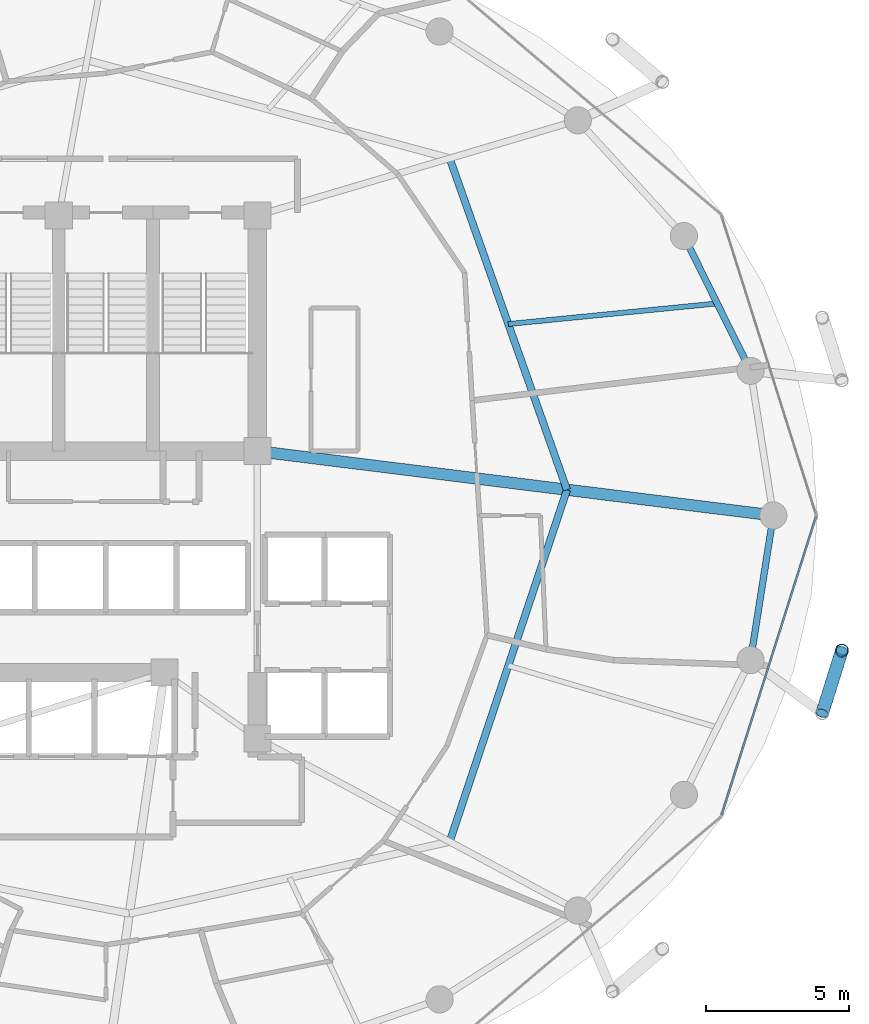
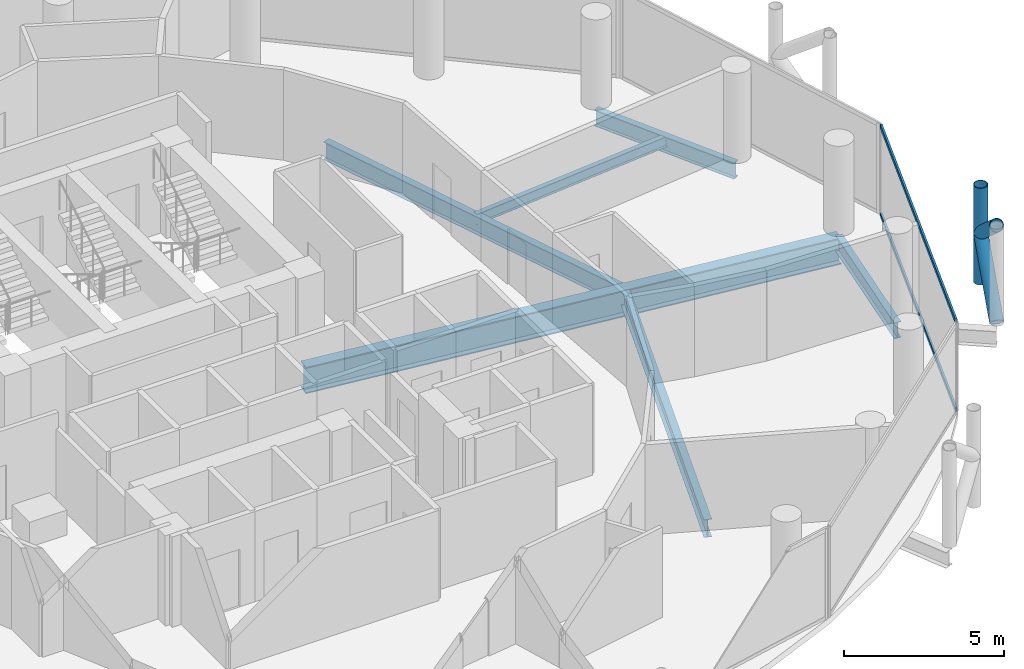
# One storey, part 11 of 26: 6 beams, 5 members, 1 element without a shape of its own.
"""IFC4 building model written with IfcOpenShell, lengths in metres."""

import ifcopenshell
import ifcopenshell.guid

model = None  # the IFC model being written
_history = None  # IfcOwnerHistory: only IFC2X3 demands one
_inside = {}  # id of a spatial element -> (the spatial element, [elements in it])
_under = {}  # id of a project, library or spatial element -> (it, [spatial elements below it])
_declared = {}  # id of a project -> (the project, [libraries it declares])
_typed = {}  # id of a type object -> (the type object, [elements of that type])
_made_of = {}  # id of a material, layer set ... -> (it, [elements and type objects made of it])


def new_model(schema):
    """Start an empty IFC model of exactly this schema.

    Asked for "IFC4X3", IfcOpenShell would pick the latest addendum, in which some entities
    have other attributes; the version numbers below select the first issue.
    IFC2X3 requires an IfcOwnerHistory on every rooted entity: one is made here for all.
    """
    global model, _history
    if schema == "IFC4X3":
        model = ifcopenshell.file(schema_version=(4, 3, 0, 0))
    else:
        model = ifcopenshell.file(schema=schema)
    _inside.clear()
    _under.clear()
    _declared.clear()
    _typed.clear()
    _made_of.clear()
    _history = None
    if model.schema == "IFC2X3":
        org = make("IfcOrganization", Name="unknown")
        user = make(
            "IfcPersonAndOrganization",
            ThePerson=make("IfcPerson", FamilyName="unknown"),
            TheOrganization=org,
        )
        app = make(
            "IfcApplication",
            ApplicationDeveloper=org,
            Version="unknown",
            ApplicationFullName="unknown",
            ApplicationIdentifier="unknown",
        )
        _history = make(
            "IfcOwnerHistory",
            OwningUser=user,
            OwningApplication=app,
            ChangeAction="ADDED",
            CreationDate=0,
        )
    return model


def make(cls, **values):
    """One entity of the class cls with the attributes given. An attribute that is None is left unset."""
    return model.create_entity(
        cls, **{name: value for name, value in values.items() if value is not None}
    )


def rooted(cls, **values):
    """An entity with a GlobalId (a new one), such as an element, a storey or a relation."""
    return make(cls, GlobalId=ifcopenshell.guid.new(), OwnerHistory=_history, **values)


def si_unit(unit_type, name, prefix=None):
    """IfcSIUnit, for example si_unit("LENGTHUNIT", "METRE", prefix="MILLI")."""
    return make("IfcSIUnit", UnitType=unit_type, Prefix=prefix, Name=name)


def assignment(units):
    """IfcUnitAssignment: the units of a project."""
    return None if units is None else make("IfcUnitAssignment", Units=units)


def point(xyz):
    """IfcCartesianPoint."""
    return None if xyz is None else make("IfcCartesianPoint", Coordinates=xyz)


def direction(xyz):
    """IfcDirection."""
    return None if xyz is None else make("IfcDirection", DirectionRatios=xyz)


def frame(location, z_axis=None, x_axis=None):
    """IfcAxis2Placement3D, a coordinate frame: its origin and axes. An axis left out is left unset."""
    return make(
        "IfcAxis2Placement3D",
        Location=point(location),
        Axis=direction(z_axis),
        RefDirection=direction(x_axis),
    )


def frame_2d(location, x_axis=None):
    """IfcAxis2Placement2D, a coordinate frame in the plane: its origin and x axis."""
    return make(
        "IfcAxis2Placement2D", Location=point(location), RefDirection=direction(x_axis)
    )


def origin():
    """The frame at (0, 0, 0) with its axes left unset."""
    return frame((0.0, 0.0, 0.0))


def origin_2d():
    """The frame at (0, 0) in the plane with its x axis left unset."""
    return frame_2d((0.0, 0.0))


def place(relative_to, where):
    """IfcLocalPlacement: puts the frame where relative to a parent placement (None: the world)."""
    return make(
        "IfcLocalPlacement", PlacementRelTo=relative_to, RelativePlacement=where
    )


def context(
    kind, dimensions, precision=None, world=None, true_north=None, identifier=None
):
    """IfcGeometricRepresentationContext, for example the 3D "Model" context."""
    return make(
        "IfcGeometricRepresentationContext",
        ContextIdentifier=identifier,
        ContextType=kind,
        CoordinateSpaceDimension=dimensions,
        Precision=precision,
        WorldCoordinateSystem=world,
        TrueNorth=true_north,
    )


def subcontext(parent, identifier, kind, view, scale=None):
    """IfcGeometricRepresentationSubContext, for example "Body" below "Model"."""
    return make(
        "IfcGeometricRepresentationSubContext",
        ContextIdentifier=identifier,
        ContextType=kind,
        ParentContext=parent,
        TargetScale=scale,
        TargetView=view,
    )


def project(units=None, contexts=None):
    """IfcProject with its units and contexts."""
    return rooted(
        "IfcProject",
        Name="project",
        RepresentationContexts=contexts,
        UnitsInContext=assignment(units),
    )


def spatial(cls, under=None, at=None, **own):
    """A site, building, storey or space (cls), placed at a placement, below another one or the project."""
    s = rooted(cls, ObjectPlacement=at, **own)
    if under is not None:
        _under.setdefault(under.id(), (under, []))[1].append(s)
    return s


def profile(cls, at=None, kind="AREA", **sizes):
    """A parametric profile (cls). Its sizes go by their IFC names, for example OverallWidth=200.0."""
    return make(cls, ProfileType=kind, Position=at, **sizes)


def hollow_rectangle(**sizes):
    """IfcRectangleHollowProfileDef."""
    return profile("IfcRectangleHollowProfileDef", **sizes)


def hollow_circle(**sizes):
    """IfcCircleHollowProfileDef."""
    return profile("IfcCircleHollowProfileDef", **sizes)


def i_section(**sizes):
    """IfcIShapeProfileDef."""
    return profile("IfcIShapeProfileDef", **sizes)


def extrude(swept, where, along, depth):
    """IfcExtrudedAreaSolid: the profile swept, set in the frame where, extruded along a direction by depth."""
    return make(
        "IfcExtrudedAreaSolid",
        SweptArea=swept,
        Position=where,
        ExtrudedDirection=direction(along),
        Depth=depth,
    )


def shape(context_of_items, identifier, shape_type, items):
    """IfcShapeRepresentation: the items that make up one representation, for example the "Body"."""
    return make(
        "IfcShapeRepresentation",
        ContextOfItems=context_of_items,
        RepresentationIdentifier=identifier,
        RepresentationType=shape_type,
        Items=items,
    )


def material(Name=None, Category=None):
    """IfcMaterial."""
    return make("IfcMaterial", Name=Name, Category=Category)


def layer(
    of_material, thickness, ventilated=None, Name=None, Category=None, Priority=None
):
    """IfcMaterialLayer: one layer of a wall or slab, of a material (None: an air gap)."""
    return make(
        "IfcMaterialLayer",
        Material=of_material,
        LayerThickness=thickness,
        IsVentilated=ventilated,
        Name=Name,
        Category=Category,
        Priority=Priority,
    )


def layer_set(layers, Name=None):
    """IfcMaterialLayerSet."""
    return make("IfcMaterialLayerSet", MaterialLayers=layers, LayerSetName=Name)


def material_profile(
    of_material, cross_section, Name=None, Category=None, Priority=None
):
    """IfcMaterialProfile: a cross section and its material."""
    return make(
        "IfcMaterialProfile",
        Name=Name,
        Material=of_material,
        Profile=cross_section,
        Priority=Priority,
        Category=Category,
    )


def profile_set(profiles, Name=None, composite=None):
    """IfcMaterialProfileSet."""
    return make(
        "IfcMaterialProfileSet",
        Name=Name,
        MaterialProfiles=profiles,
        CompositeProfile=composite,
    )


def made_of(thing, what):
    """Note that an element or type object is made of a material, layer set ...; save() writes the relation."""
    if what is not None:
        _made_of.setdefault(what.id(), (what, []))[1].append(thing)
    return thing


def type_object(cls, material=None, **own):
    """A type object (cls), such as IfcWallType, which elements share."""
    return made_of(rooted(cls, **own), material)


def element(
    cls,
    number,
    at=None,
    inside=None,
    cuts=None,
    type_object=None,
    material=None,
    context=None,
    identifier="Body",
    shape_type=None,
    held_by="IfcProductDefinitionShape",
    body=None,
    shapes=None,
    **own,
):
    """One element of the class cls, such as IfcWall. Its Tag is "e" and its number.

    at: its placement. inside: the storey or other place that contains it. cuts: it is an
    opening in that element (IfcRelVoidsElement). A single representation is given by context,
    identifier, shape_type and body (its items); several are given by shapes. held_by: the class
    of the entity that holds the representations. save() writes the other relations.
    """
    e = rooted(cls, Tag="e%d" % number, ObjectPlacement=at, **own)
    if body is not None:
        shapes = [shape(context, identifier, shape_type, body)]
    if shapes is not None:
        e.Representation = make(held_by, Representations=shapes)
    if inside is not None:
        _inside.setdefault(inside.id(), (inside, []))[1].append(e)
    if cuts is not None:
        rooted(
            "IfcRelVoidsElement", RelatingBuildingElement=cuts, RelatedOpeningElement=e
        )
    if type_object is not None:
        _typed.setdefault(type_object.id(), (type_object, []))[1].append(e)
    return made_of(e, material)


def aggregate(whole, parts):
    """IfcRelAggregates: a whole, such as a stair, and the parts it consists of."""
    return rooted("IfcRelAggregates", RelatingObject=whole, RelatedObjects=parts)


def save(model, path):
    """Write the relations noted so far, then the file.

    IfcRelAggregates (storeys below a building ...), IfcRelContainedInSpatialStructure (elements
    in a storey), IfcRelDefinesByType, IfcRelAssociatesMaterial and IfcRelDeclares: one each for
    every whole, place, type object, material and project.
    """
    for whole, parts in _under.values():
        aggregate(whole, parts)
    for where, things in _inside.values():
        rooted(
            "IfcRelContainedInSpatialStructure",
            RelatedElements=things,
            RelatingStructure=where,
        )
    for kind, things in _typed.values():
        rooted("IfcRelDefinesByType", RelatedObjects=things, RelatingType=kind)
    for what, things in _made_of.values():
        rooted("IfcRelAssociatesMaterial", RelatedObjects=things, RelatingMaterial=what)
    for by, libraries in _declared.values():
        rooted("IfcRelDeclares", RelatingContext=by, RelatedDefinitions=libraries)
    model.write(path)


model = new_model("IFC4")

# Units and contexts
model_context = context("Model", 3, precision=1e-05, world=origin(), true_north=direction((0.0, 1.0)))
body_context = subcontext(model_context, "Body", "Model", "MODEL_VIEW")
ifc_project = project(units=[si_unit("LENGTHUNIT", "METRE"), si_unit("AREAUNIT", "SQUARE_METRE"), si_unit("VOLUMEUNIT", "CUBIC_METRE"), si_unit("PLANEANGLEUNIT", "RADIAN"), si_unit("MASSUNIT", "GRAM", prefix="KILO")], contexts=[model_context])

# Site, building, storey
site_placement = place(None, origin())
site = spatial("IfcSite", under=ifc_project, at=site_placement, CompositionType="ELEMENT")
building_placement = place(site_placement, origin())
building = spatial("IfcBuilding", under=site, at=building_placement, Name="Nuhasar Tower", CompositionType="ELEMENT")
storey_placement = place(building_placement, frame((0.0, 0.0, 118.25)))
storey = spatial("IfcBuildingStorey", under=building, at=storey_placement, Name="L27", CompositionType="ELEMENT", Elevation=118.25)

# Beams
ifc_material_1 = material(Name="Steel S355", Category="steel")
ifc_material_profile_1 = material_profile(ifc_material_1, i_section(OverallWidth=0.25390625, OverallDepth=0.68408203125, WebThickness=0.012451171875, FlangeThickness=0.018798828125, at=origin_2d()), Name="W27X94")
ifc_profile_set_1 = profile_set([ifc_material_profile_1], Name="Steel S355")
beam_type_1 = type_object("IfcBeamType", Name="BM-INRING-W27X94", PredefinedType="BEAM", material=ifc_profile_set_1)
beam_1_placement = place(storey_placement, frame((51.027099609375, 15.385986328125, -0.592041015625), z_axis=(0.31609797573, 0.948726551615, 0.0), x_axis=(-0.948726551615, 0.31609797573, 0.0)))
element("IfcBeam", 1, at=beam_1_placement, inside=storey, type_object=beam_type_1, Name="L27 Inner Header Beam 03", PredefinedType="BEAM", context=body_context, shape_type="SweptSolid", body=[
    extrude(i_section(OverallWidth=0.25390625, OverallDepth=0.68408203125, WebThickness=0.012451171875, FlangeThickness=0.018798828125, at=origin_2d()), origin(), (0.0, 0.0, 1.0), 12.9794921875),
])
beam_2_placement = place(storey_placement, frame((55.1298828125, 27.699951171875, -0.592041015625), z_axis=(-0.333599821096, 0.942714781556, 0.0), x_axis=(-0.942714781556, -0.333599821096, 0.0)))
element("IfcBeam", 2, at=beam_2_placement, inside=storey, type_object=beam_type_1, Name="L27 Inner Header Beam 04", PredefinedType="BEAM", context=body_context, shape_type="SweptSolid", body=[
    extrude(i_section(OverallWidth=0.25390625, OverallDepth=0.68408203125, WebThickness=0.012451171875, FlangeThickness=0.018798828125, at=origin_2d()), origin(), (0.0, 0.0, 1.0), 12.298583984375),
])
ifc_material_profile_2 = material_profile(ifc_material_1, i_section(OverallWidth=0.177978515625, OverallDepth=0.406005859375, WebThickness=0.0078125, FlangeThickness=0.0126953125, at=origin_2d()), Name="W16X40")
ifc_profile_set_2 = profile_set([ifc_material_profile_2], Name="Steel S355")
beam_type_2 = type_object("IfcBeamType", Name="BM-JST-W16X40", PredefinedType="JOIST", material=ifc_profile_set_2)
beam_3_placement = place(storey_placement, frame((53.0791015625, 33.4970703125, -0.452880859375), z_axis=(0.995170244515, 0.098164068947, 0.0), x_axis=(-0.098164068947, 0.995170244515, 0.0)))
element("IfcBeam", 3, at=beam_3_placement, inside=storey, type_object=beam_type_2, Name="L27 Secondary Floor Joist 04", PredefinedType="JOIST", context=body_context, shape_type="SweptSolid", body=[
    extrude(i_section(OverallWidth=0.177978515625, OverallDepth=0.406005859375, WebThickness=0.0078125, FlangeThickness=0.0126953125, at=origin_2d()), origin(), (0.0, 0.0, 1.0), 7.34423828125),
])
ifc_material_profile_3 = material_profile(ifc_material_1, i_section(OverallWidth=0.22998046875, OverallDepth=0.616943359375, WebThickness=0.01318359375, FlangeThickness=0.022216796875, at=origin_2d()), Name="W24X94")
ifc_profile_set_3 = profile_set([ifc_material_profile_3], Name="Steel S355")
beam_type_3 = type_object("IfcBeamType", Name="BM-RING-W24X94", PredefinedType="SPANDREL", material=ifc_profile_set_3)
beam_4_placement = place(storey_placement, frame((61.553955078125, 31.860107421875, -0.55810546875), z_axis=(-0.443347771709, 0.896349682501, 0.0), x_axis=(-0.896349682501, -0.443347771709, 0.0)))
element("IfcBeam", 4, at=beam_4_placement, inside=storey, type_object=beam_type_3, Name="L27 Perimeter Ring Spandrel 02", PredefinedType="SPANDREL", context=body_context, shape_type="SweptSolid", body=[
    extrude(i_section(OverallWidth=0.22998046875, OverallDepth=0.616943359375, WebThickness=0.01318359375, FlangeThickness=0.022216796875, at=origin_2d()), origin(), (0.0, 0.0, 1.0), 5.260009765625),
])
beam_5_placement = place(storey_placement, frame((61.553955078125, 21.739990234375, -0.55810546875), z_axis=(0.155426543608, 0.987847452566, 0.0), x_axis=(-0.987847452566, 0.155426543608, 0.0)))
element("IfcBeam", 5, at=beam_5_placement, inside=storey, type_object=beam_type_3, Name="L27 Perimeter Ring Spandrel 24", PredefinedType="SPANDREL", context=body_context, shape_type="SweptSolid", body=[
    extrude(i_section(OverallWidth=0.22998046875, OverallDepth=0.616943359375, WebThickness=0.01318359375, FlangeThickness=0.022216796875, at=origin_2d()), origin(), (0.0, 0.0, 1.0), 5.122314453125),
])
ifc_material_2 = material(Name="Steel S460", Category="steel")
ifc_material_profile_4 = material_profile(ifc_material_2, i_section(OverallWidth=0.40087890625, OverallDepth=1.010009765625, WebThickness=0.023681640625, FlangeThickness=0.0419921875, at=origin_2d()), Name="W40X297")
ifc_profile_set_4 = profile_set([ifc_material_profile_4], Name="Steel S460")
beam_type_4 = type_object("IfcBeamType", Name="BM-XFER-W40X297", PredefinedType="USERDEFINED", material=ifc_profile_set_4)
beam_6_placement = place(storey_placement, frame((44.300048828125, 29.050048828125, -0.7548828125), z_axis=(0.992320149485, -0.123696082908, 0.0), x_axis=(0.123696082908, 0.992320149485, 0.0)))
element("IfcBeam", 6, at=beam_6_placement, inside=storey, type_object=beam_type_4, Name="L27 Radial Floor Girder 04", ObjectType="GIRDER", PredefinedType="USERDEFINED", context=body_context, shape_type="SweptSolid", body=[
    extrude(i_section(OverallWidth=0.40087890625, OverallDepth=1.010009765625, WebThickness=0.023681640625, FlangeThickness=0.0419921875, at=origin_2d()), origin(), (0.0, 0.0, 1.0), 18.189697265625),
])

# Curtain wall, members
ifc_material_3 = material(Name="Aluminium 6063-T6", Category="aluminium")
ifc_layer = layer(ifc_material_3, 0.199951171875)
ifc_layer_set = layer_set([ifc_layer], Name="Aluminium 6063-T6")
curtain_wall_type = type_object("IfcCurtainWallType", Name="CW-Z2-HTL", PredefinedType="NOTDEFINED", material=ifc_layer_set)
curtain_wall_placement = place(storey_placement, origin())
curtain_wall = element("IfcCurtainWall", 7, at=curtain_wall_placement, inside=storey, type_object=curtain_wall_type, Name="L27 Unitised Curtain Wall 12", PredefinedType="NOTDEFINED")
ifc_material_profile_5 = material_profile(ifc_material_3, hollow_rectangle(XDim=0.070068359375, YDim=0.159912109375, WallThickness=0.00439453125, at=origin_2d()), Name="CWT-3")
ifc_profile_set_5 = profile_set([ifc_material_profile_5], Name="Aluminium 6063-T6")
member_type_1 = type_object("IfcMemberType", Name="CW-TRN-S3", PredefinedType="USERDEFINED", material=ifc_profile_set_5)
member_1_placement = place(storey_placement, frame((60.550048828125, 16.336669921875, 0.034912109375), z_axis=(0.301608163352, 0.953431967053, 0.0), x_axis=(-0.953431967053, 0.301608163352, 0.0)))
member_1 = element("IfcMember", 8, at=member_1_placement, type_object=member_type_1, Name="CW-Z2 transom 1.1", ObjectType="TRANSOM", PredefinedType="USERDEFINED", context=body_context, shape_type="SweptSolid", body=[
    extrude(hollow_rectangle(XDim=0.070068359375, YDim=0.159912109375, WallThickness=0.00439453125, at=origin_2d()), origin(), (0.0, 0.0, 1.0), 10.904296875),
])
member_2_placement = place(storey_placement, frame((60.550048828125, 16.336669921875, 3.4150390625), z_axis=(0.301608163352, 0.953431967053, 0.0), x_axis=(-0.953431967053, 0.301608163352, 0.0)))
member_2 = element("IfcMember", 9, at=member_2_placement, type_object=member_type_1, Name="CW-Z2 transom 1.2", ObjectType="TRANSOM", PredefinedType="USERDEFINED", context=body_context, shape_type="SweptSolid", body=[
    extrude(hollow_rectangle(XDim=0.070068359375, YDim=0.159912109375, WallThickness=0.00439453125, at=origin_2d()), origin(), (0.0, 0.0, 1.0), 10.904296875),
])
aggregate(curtain_wall, [member_1, member_2])

# Members
ifc_material_profile_6 = material_profile(ifc_material_2, hollow_circle(Radius=0.228515625, WallThickness=0.022216796875, at=origin_2d()), Name="HSS457X22.2")
ifc_profile_set_6 = profile_set([ifc_material_profile_6], Name="Steel S460")
member_type_2 = type_object("IfcMemberType", Name="EXO-BRONZE-457", PredefinedType="BRACE", material=ifc_profile_set_6)
member_3_placement = place(storey_placement, frame((64.748046875, 22.073974609375, 0.0), z_axis=(0.0, 0.0, 1.0), x_axis=(1.0, 0.0, 0.0)))
element("IfcMember", 10, at=member_3_placement, inside=storey, type_object=member_type_2, Name="L27 Exoskeleton Chord Column EC-12B", PredefinedType="BRACE", context=body_context, shape_type="SweptSolid", body=[
    extrude(hollow_circle(Radius=0.228515625, WallThickness=0.022216796875, at=origin_2d()), origin(), (0.0, 0.0, 1.0), 3.699951171875),
])
member_4_placement = place(storey_placement, frame((64.06005859375, 19.87890625, 0.0), z_axis=(0.233055548538, 0.743577869731, 0.626719285599), x_axis=(-0.954228474306, 0.29907861646, 0.0)))
element("IfcMember", 11, at=member_4_placement, inside=storey, type_object=member_type_2, Name="L27 Bronze Diagrid Brace W1-12", PredefinedType="BRACE", context=body_context, shape_type="SweptSolid", body=[
    extrude(hollow_circle(Radius=0.228515625, WallThickness=0.022216796875, at=origin_2d()), origin(), (0.0, 0.0, 1.0), 2.9521484375),
])
member_5_placement = place(storey_placement, frame((64.748046875, 22.073974609375, 1.85009765625), z_axis=(-0.233067628236, -0.74361641074, 0.626669062861), x_axis=(0.954228474306, -0.29907861646, 0.0)))
element("IfcMember", 12, at=member_5_placement, inside=storey, type_object=member_type_2, Name="L27 Bronze Diagrid Brace W2-12", PredefinedType="BRACE", context=body_context, shape_type="SweptSolid", body=[
    extrude(hollow_circle(Radius=0.228515625, WallThickness=0.022216796875, at=origin_2d()), origin(), (0.0, 0.0, 1.0), 2.951904296875),
])

save(model, "model.ifc")
